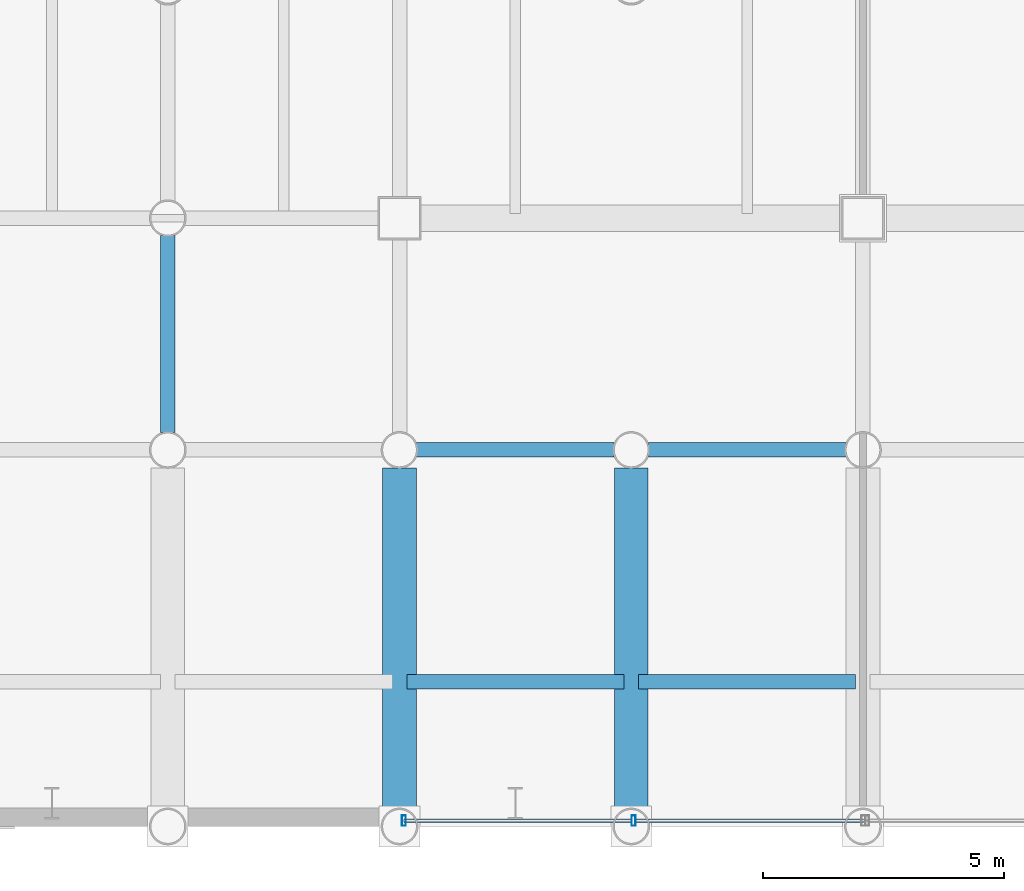
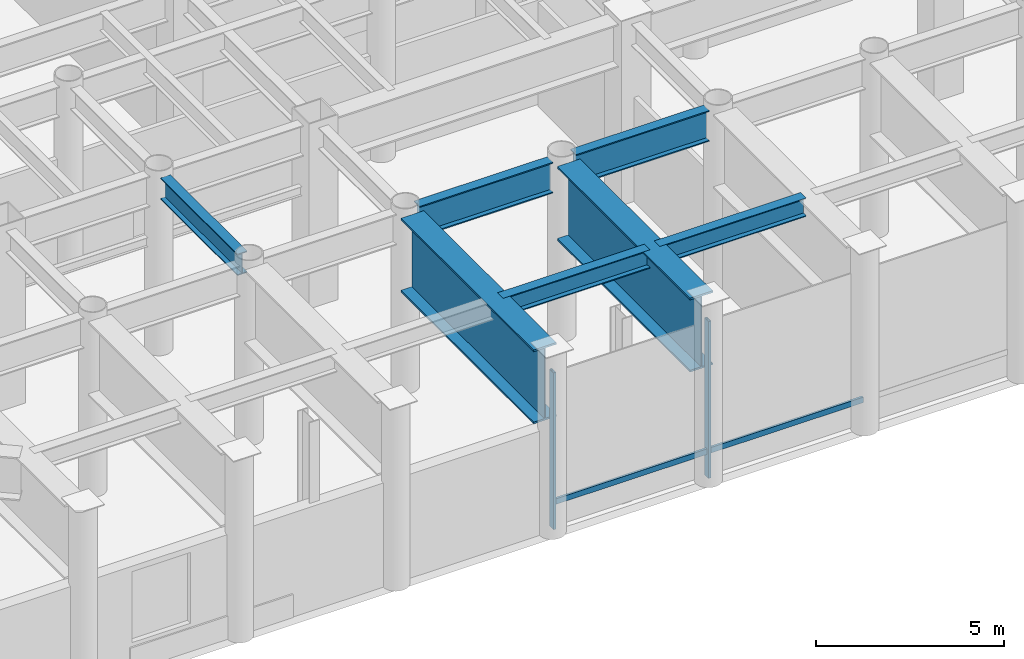
# One storey, part 5 of 26: 7 beams, 4 members, 1 element without a shape of its own.
"""IFC4 building model written with IfcOpenShell, lengths in metres."""

from ifc_helpers import new_model, si_unit, direction, frame, origin, origin_2d, place, context, subcontext, project, spatial, hollow_rectangle, i_section, extrude, material, layer, layer_set, material_profile, profile_set, type_object, element, aggregate, save


model = new_model("IFC4")

# Units and contexts
model_context = context("Model", 3, precision=1e-05, world=origin(), true_north=direction((0.0, 1.0)))
body_context = subcontext(model_context, "Body", "Model", "MODEL_VIEW")
ifc_project = project(units=[si_unit("LENGTHUNIT", "METRE"), si_unit("AREAUNIT", "SQUARE_METRE"), si_unit("VOLUMEUNIT", "CUBIC_METRE"), si_unit("PLANEANGLEUNIT", "RADIAN"), si_unit("MASSUNIT", "GRAM", prefix="KILO")], contexts=[model_context])

# Site, building, storey
site_placement = place(None, origin())
site = spatial("IfcSite", under=ifc_project, at=site_placement, CompositionType="ELEMENT")
building_placement = place(site_placement, origin())
building = spatial("IfcBuilding", under=site, at=building_placement, Name="Kallvorn Hotel Tower", CompositionType="ELEMENT")
storey_placement = place(building_placement, frame((0.0, 0.0, 6.0)))
storey = spatial("IfcBuildingStorey", under=building, at=storey_placement, Name="L01", CompositionType="ELEMENT", Elevation=6.0)

# Beams
ifc_material_1 = material(Name="Structural steel S355JR", Category="steel")
ifc_material_profile_1 = material_profile(ifc_material_1, i_section(OverallWidth=0.300048828125, OverallDepth=1.0, WebThickness=0.01904296875, FlangeThickness=0.035888671875, at=origin_2d()), Name="HE 1000 B")
ifc_profile_set_1 = profile_set([ifc_material_profile_1], Name="Structural steel S355JR")
beam_type_1 = type_object("IfcBeamType", Name="BM_HE1000B", PredefinedType="BEAM", material=ifc_profile_set_1)
for number, where, z_axis, x_axis, name in (
    (1, (-14.0439453125, -19.199951171875, 5.280029296875), (1.0, 0.0, 0.0), (0.0, 1.0, 0.0), "L02 Primary X-Girder 49"),
    (2, (-9.243896484375, -19.199951171875, 5.280029296875), (1.0, 0.0, 0.0), (0.0, 1.0, 0.0), "L02 Primary X-Girder 50"),
):
    element("IfcBeam", number, at=place(storey_placement, frame(where, z_axis=z_axis, x_axis=x_axis)), inside=storey, type_object=beam_type_1, Name=name, PredefinedType="BEAM", context=body_context, shape_type="SweptSolid", body=[
        extrude(i_section(OverallWidth=0.300048828125, OverallDepth=1.0, WebThickness=0.01904296875, FlangeThickness=0.035888671875, at=origin_2d()), origin(), (0.0, 0.0, 1.0), 4.087890625),
    ])
ifc_material_2 = material(Name="Structural steel S355JR", Category="steel")
ifc_material_profile_2 = material_profile(ifc_material_2, i_section(OverallWidth=0.300048828125, OverallDepth=0.60009765625, WebThickness=0.015380859375, FlangeThickness=0.030029296875, at=origin_2d()), Name="HE 600 B")
ifc_profile_set_2 = profile_set([ifc_material_profile_2], Name="Structural steel S355JR")
beam_type_2 = type_object("IfcBeamType", Name="BM_HE600B", PredefinedType="SPANDREL", material=ifc_profile_set_2)
for number, where, z_axis, x_axis, name in (
    (3, (-14.25, -24.0, 5.47998046875), (1.0, 0.0, 0.0), (0.0, 1.0, 0.0), "L02 Perimeter Spandrel 219"),
    (4, (-9.449951171875, -24.0, 5.47998046875), (1.0, 0.0, 0.0), (0.0, 1.0, 0.0), "L02 Perimeter Spandrel 220"),
):
    element("IfcBeam", number, at=place(storey_placement, frame(where, z_axis=z_axis, x_axis=x_axis)), inside=storey, type_object=beam_type_2, Name=name, PredefinedType="SPANDREL", context=body_context, shape_type="SweptSolid", body=[
        extrude(i_section(OverallWidth=0.300048828125, OverallDepth=0.60009765625, WebThickness=0.015380859375, FlangeThickness=0.030029296875, at=origin_2d()), origin(), (0.0, 0.0, 1.0), 4.5),
    ])
ifc_material_3 = material(Name="Structural steel S355JR", Category="steel")
ifc_material_profile_3 = material_profile(ifc_material_3, i_section(OverallWidth=0.300048828125, OverallDepth=0.699951171875, WebThickness=0.01708984375, FlangeThickness=0.031982421875, at=origin_2d()), Name="HE 700 B")
ifc_profile_set_3 = profile_set([ifc_material_profile_3], Name="Structural steel S355JR")
beam_type_3 = type_object("IfcBeamType", Name="BM_HE700B", PredefinedType="BEAM", material=ifc_profile_set_3)
beam_placement = place(storey_placement, frame((-19.199951171875, -18.843994140625, 5.429931640625), z_axis=(0.0, 1.0, 0.0), x_axis=(-1.0, 0.0, 0.0)))
element("IfcBeam", 5, at=beam_placement, inside=storey, type_object=beam_type_3, Name="L02 Primary Y-Girder 143", PredefinedType="BEAM", context=body_context, shape_type="SweptSolid", body=[
    extrude(i_section(OverallWidth=0.300048828125, OverallDepth=0.699951171875, WebThickness=0.01708984375, FlangeThickness=0.031982421875, at=origin_2d()), origin(), (0.0, 0.0, 1.0), 4.087890625),
])
ifc_material_4 = material(Name="Structural steel S355JR", Category="steel")
ifc_material_profile_4 = material_profile(ifc_material_4, i_section(OverallWidth=0.699951171875, OverallDepth=2.39990234375, WebThickness=0.031982421875, FlangeThickness=0.06005859375, at=origin_2d()), Name="PG 2400x700x32x60")
ifc_profile_set_4 = profile_set([ifc_material_profile_4], Name="Structural steel S355JR")
beam_type_4 = type_object("IfcBeamType", Name="BM_PG_2400", PredefinedType="BEAM", material=ifc_profile_set_4)
for number, where, z_axis, x_axis, name in (
    (6, (-14.39990234375, -26.62890625, 4.580078125), (0.0, 1.0, 0.0), (-1.0, 0.0, 0.0), "L02 Setback Transfer Girder 16"),
    (7, (-9.60009765625, -26.62890625, 4.580078125), (0.0, 1.0, 0.0), (-1.0, 0.0, 0.0), "L02 Setback Transfer Girder 18"),
):
    element("IfcBeam", number, at=place(storey_placement, frame(where, z_axis=z_axis, x_axis=x_axis)), inside=storey, type_object=beam_type_4, Name=name, PredefinedType="BEAM", context=body_context, shape_type="SweptSolid", body=[
        extrude(i_section(OverallWidth=0.699951171875, OverallDepth=2.39990234375, WebThickness=0.031982421875, FlangeThickness=0.06005859375, at=origin_2d()), origin(), (0.0, 0.0, 1.0), 7.057861328125),
    ])

# Curtain wall, members
ifc_material_5 = material(Name="Thermally broken black-anodised aluminium AA 6063-T6", Category="aluminium")
ifc_layer = layer(ifc_material_5, 0.239990234375)
ifc_layer_set = layer_set([ifc_layer], Name="CW_SYS_1_PODIUM_LOW")
curtain_wall_type = type_object("IfcCurtainWallType", Name="CW_SYS_1_PODIUM_LOW", PredefinedType="USERDEFINED", material=ifc_layer_set)
curtain_wall_placement = place(storey_placement, origin())
curtain_wall = element("IfcCurtainWall", 8, at=curtain_wall_placement, inside=storey, type_object=curtain_wall_type, Name="L01 Dark-Glass Curtain Wall CW-L01-S1", ObjectType="UNITISED CURTAIN WALL", PredefinedType="USERDEFINED")
ifc_material_6 = material(Name="Thermally broken black-anodised aluminium AA 6063-T6", Category="aluminium")
ifc_material_profile_5 = material_profile(ifc_material_6, hollow_rectangle(XDim=0.080078125, YDim=0.219970703125, WallThickness=0.0048828125, at=origin_2d()), Name="MUL 220x80")
ifc_profile_set_5 = profile_set([ifc_material_profile_5], Name="Thermally broken black-anodised aluminium AA 6063-T6")
member_type_1 = type_object("IfcMemberType", Name="CW_MULLION_220x80", PredefinedType="MULLION", material=ifc_profile_set_5)
member_1_placement = place(storey_placement, frame((-14.31005859375, -26.8798828125, 0.02001953125), z_axis=(0.0, 0.0, 1.0), x_axis=(1.0, 0.0, 0.0)))
member_1 = element("IfcMember", 9, at=member_1_placement, type_object=member_type_1, Name="CW-L01-S1 Mullion 00", PredefinedType="MULLION", context=body_context, shape_type="SweptSolid", body=[
    extrude(hollow_rectangle(XDim=0.080078125, YDim=0.219970703125, WallThickness=0.0048828125, at=origin_2d()), origin(), (0.0, 0.0, 1.0), 5.090087890625),
])
member_2_placement = place(storey_placement, frame((-9.550048828125, -26.8798828125, 0.02001953125), z_axis=(0.0, 0.0, 1.0), x_axis=(1.0, 0.0, 0.0)))
member_2 = element("IfcMember", 10, at=member_2_placement, type_object=member_type_1, Name="CW-L01-S1 Mullion 01", PredefinedType="MULLION", context=body_context, shape_type="SweptSolid", body=[
    extrude(hollow_rectangle(XDim=0.080078125, YDim=0.219970703125, WallThickness=0.0048828125, at=origin_2d()), origin(), (0.0, 0.0, 1.0), 5.090087890625),
])
ifc_material_7 = material(Name="Thermally broken black-anodised aluminium AA 6063-T6", Category="aluminium")
ifc_material_profile_6 = material_profile(ifc_material_7, hollow_rectangle(XDim=0.070068359375, YDim=0.179931640625, WallThickness=0.00390625, at=origin_2d()), Name="TRN 180x70")
ifc_profile_set_6 = profile_set([ifc_material_profile_6], Name="Thermally broken black-anodised aluminium AA 6063-T6")
member_type_2 = type_object("IfcMemberType", Name="CW_TRANSOM_180x70", PredefinedType="USERDEFINED", material=ifc_profile_set_6)
member_3_placement = place(storey_placement, frame((-14.31005859375, -26.8798828125, 0.85009765625), z_axis=(1.0, 0.0, 0.0), x_axis=(0.0, 1.0, 0.0)))
member_3 = element("IfcMember", 11, at=member_3_placement, type_object=member_type_2, Name="CW-L01-S1 Transom 00M", ObjectType="TRANSOM", PredefinedType="USERDEFINED", context=body_context, shape_type="SweptSolid", body=[
    extrude(hollow_rectangle(XDim=0.070068359375, YDim=0.179931640625, WallThickness=0.00390625, at=origin_2d()), origin(), (0.0, 0.0, 1.0), 4.719970703125),
])
member_4_placement = place(storey_placement, frame((-9.510009765625, -26.8798828125, 0.85009765625), z_axis=(1.0, 0.0, 0.0), x_axis=(0.0, 1.0, 0.0)))
member_4 = element("IfcMember", 12, at=member_4_placement, type_object=member_type_2, Name="CW-L01-S1 Transom 01M", ObjectType="TRANSOM", PredefinedType="USERDEFINED", context=body_context, shape_type="SweptSolid", body=[
    extrude(hollow_rectangle(XDim=0.070068359375, YDim=0.179931640625, WallThickness=0.00390625, at=origin_2d()), origin(), (0.0, 0.0, 1.0), 4.719970703125),
])
aggregate(curtain_wall, [member_1, member_2, member_3, member_4])

save(model, "model.ifc")
